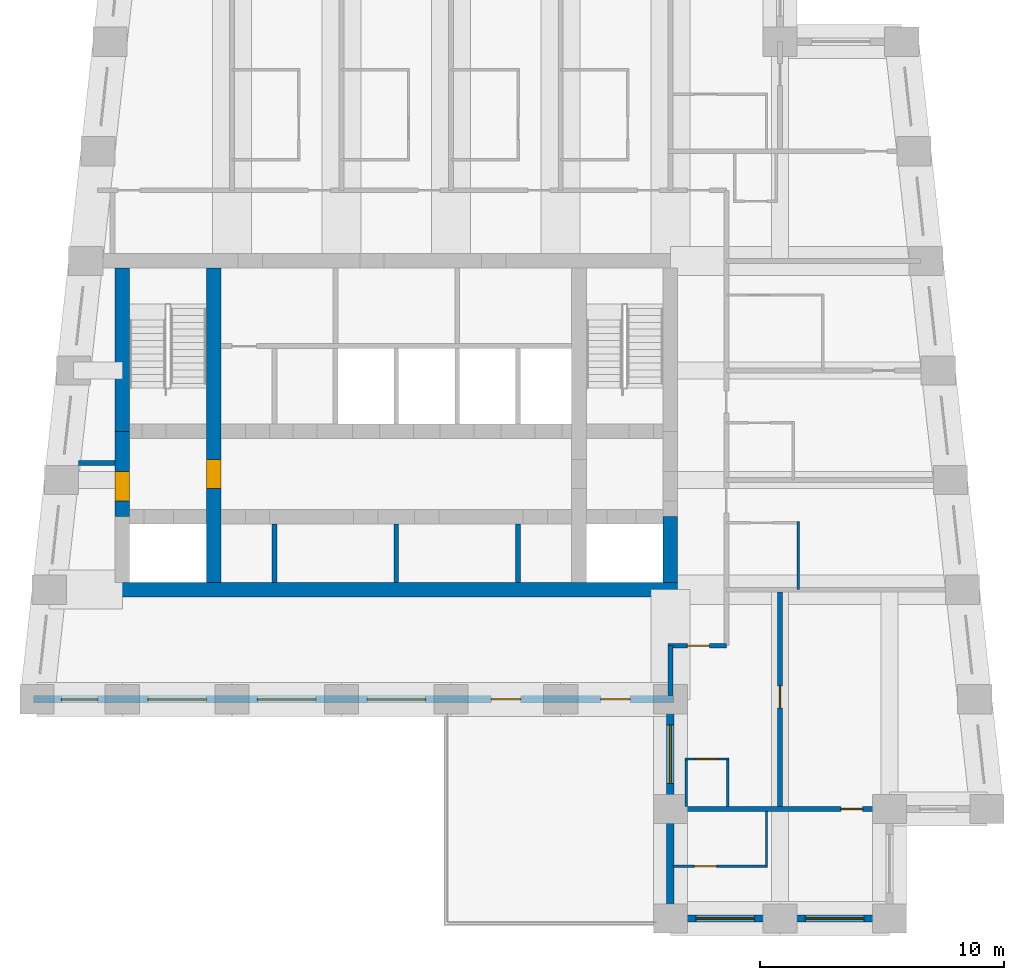
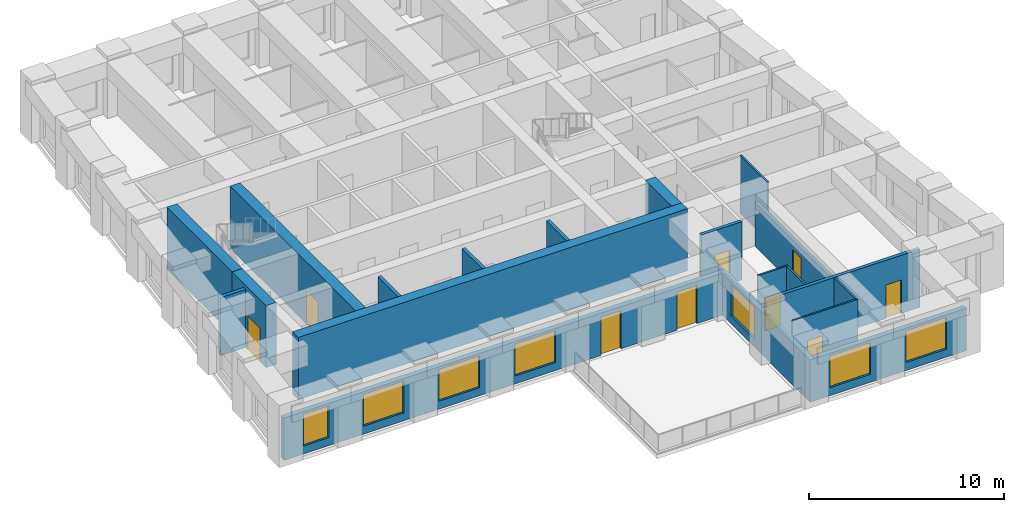
# One storey, part 2 of 7: 22 walls, 9 doors, 7 windows, 16 openings.
"""IFC4 building model written with IfcOpenShell, lengths in metres."""

from ifc_helpers import new_model, si_unit, direction, frame, frame_2d, origin, place, context, subcontext, project, spatial, rectangle, extrude, material, layer, layer_set, type_object, element, fill, save


model = new_model("IFC4")

# Units and contexts
model_context = context("Model", 3, precision=1e-05, world=origin(), true_north=direction((0.0, 1.0)))
body_context = subcontext(model_context, "Body", "Model", "MODEL_VIEW")
ifc_project = project(units=[si_unit("LENGTHUNIT", "METRE"), si_unit("AREAUNIT", "SQUARE_METRE"), si_unit("VOLUMEUNIT", "CUBIC_METRE"), si_unit("PLANEANGLEUNIT", "RADIAN"), si_unit("MASSUNIT", "GRAM", prefix="KILO")], contexts=[model_context])

# Site, building, storey
site_placement = place(None, origin())
site = spatial("IfcSite", under=ifc_project, at=site_placement, CompositionType="ELEMENT")
building_placement = place(site_placement, origin())
building = spatial("IfcBuilding", under=site, at=building_placement, Name="Kilele Tower Hotel", CompositionType="ELEMENT")
storey_placement = place(building_placement, frame((0.0, 0.0, 250.699951171875)))
storey = spatial("IfcBuildingStorey", under=building, at=storey_placement, Name="L64", CompositionType="ELEMENT", Elevation=250.699951171875)

# Walls
ifc_material_1 = material(Name="Moisture-resistant board")
ifc_layer_1 = layer(ifc_material_1, 0.10009765625)
ifc_layer_set_1 = layer_set([ifc_layer_1], Name="Moisture-resistant board")
wall_type_1 = type_object("IfcWallType", Name="Bathroom partition 100", PredefinedType="PLUMBINGWALL", material=ifc_layer_set_1)
wall_1_placement = place(storey_placement, frame((41.25, 13.5, 0.0), z_axis=(0.0, 0.0, 1.0), x_axis=(0.0, 1.0, 0.0)))
element("IfcWall", 1, at=wall_1_placement, inside=storey, type_object=wall_type_1, Name="Bathroom partition 100 L64", PredefinedType="PLUMBINGWALL", context=body_context, shape_type="SweptSolid", body=[
    extrude(rectangle(XDim=2.800048828125, YDim=0.10009765625, at=frame_2d((1.39990234375, 0.0))), origin(), (0.0, 0.0, 1.0), 3.650146484375),
])
wall_2_placement = place(storey_placement, frame((38.35009765625, 4.60009765625, 0.0), z_axis=(0.0, 0.0, 1.0), x_axis=(0.0, 1.0, 0.0)))
element("IfcWall", 2, at=wall_2_placement, inside=storey, type_object=wall_type_1, Name="Bathroom partition 100 L64", PredefinedType="PLUMBINGWALL", context=body_context, shape_type="SweptSolid", body=[
    extrude(rectangle(XDim=2.0, YDim=0.10009765625, at=frame_2d((1.0, 0.0))), origin(), (0.0, 0.0, 1.0), 3.650146484375),
])
wall_3_placement = place(storey_placement, frame((36.64990234375, 4.60009765625, 0.0), z_axis=(0.0, 0.0, 1.0), x_axis=(0.0, 1.0, 0.0)))
element("IfcWall", 3, at=wall_3_placement, inside=storey, type_object=wall_type_1, Name="Bathroom partition 100 L64", PredefinedType="PLUMBINGWALL", context=body_context, shape_type="SweptSolid", body=[
    extrude(rectangle(XDim=2.0, YDim=0.10009765625, at=frame_2d((1.0, 0.0))), origin(), (0.0, 0.0, 1.0), 2.650146484375),
])

# Wall, opening, door
wall_4_placement = place(storey_placement, frame((36.60009765625, 6.550048828125, 0.0), z_axis=(0.0, 0.0, 1.0), x_axis=(1.0, 0.0, 0.0)))
wall_4 = element("IfcWall", 4, at=wall_4_placement, inside=storey, type_object=wall_type_1, Name="Bathroom partition 100 L64", PredefinedType="PLUMBINGWALL", context=body_context, shape_type="SweptSolid", body=[
    extrude(rectangle(XDim=1.7998046875, YDim=0.10009765625, at=frame_2d((0.89990234375, 0.0))), origin(), (0.0, 0.0, 1.0), 3.650146484375),
])
opening_1_placement = place(wall_4_placement, frame((0.449951171875, 0.0, 0.0)))
opening_1 = element("IfcOpeningElement", 5, at=opening_1_placement, cuts=wall_4, Name="Opening D2A", PredefinedType="OPENING", context=body_context, shape_type="SweptSolid", body=[
    extrude(rectangle(XDim=0.89990234375, YDim=2.10009765625, at=frame_2d((0.449951171875, 1.050048828125))), frame((0.0, 0.06005859375, 0.0), z_axis=(0.0, -1.0, 0.0), x_axis=(1.0, 0.0, 0.0)), (0.0, 0.0, 1.0), 0.1201171875),
])
ifc_material_2 = material(Name="Timber door leaf in hardwood frame", Category="wood")
door_type_1 = type_object("IfcDoorType", Name="Bathroom door 900", OperationType="SINGLE_SWING_LEFT", PredefinedType="DOOR", material=ifc_material_2)
door_1_placement = place(opening_1_placement, origin())
door_1 = element("IfcDoor", 6, at=door_1_placement, inside=storey, type_object=door_type_1, Name="Bathroom door 6410P", OperationType="SINGLE_SWING_LEFT", OverallHeight=2.10009765625, OverallWidth=0.89990234375, PredefinedType="DOOR", context=body_context, shape_type="SweptSolid", body=[
    extrude(rectangle(XDim=0.89990234375, YDim=2.10009765625, at=frame_2d((0.449951171875, 1.050048828125))), frame((0.0, 0.02490234375, 0.0), z_axis=(0.0, -1.0, 0.0), x_axis=(1.0, 0.0, 0.0)), (0.0, 0.0, 1.0), 0.050048828125),
])
fill(opening_1, door_1)

# Wall
wall_5_placement = place(storey_placement, frame((39.949951171875, 4.39990234375, 0.0), z_axis=(0.0, 0.0, 1.0), x_axis=(0.0, -1.0, 0.0)))
element("IfcWall", 7, at=wall_5_placement, inside=storey, type_object=wall_type_1, Name="Bathroom partition 100 L64", PredefinedType="PLUMBINGWALL", context=body_context, shape_type="SweptSolid", body=[
    extrude(rectangle(XDim=2.2998046875, YDim=0.10009765625, at=frame_2d((1.14990234375, 0.0))), origin(), (0.0, 0.0, 1.0), 3.650146484375),
])

# Wall, opening, door
wall_6_placement = place(storey_placement, frame((36.10009765625, 2.14990234375, 0.0), z_axis=(0.0, 0.0, 1.0), x_axis=(1.0, 0.0, 0.0)))
wall_6 = element("IfcWall", 8, at=wall_6_placement, inside=storey, type_object=wall_type_1, Name="Bathroom partition 100 L64", PredefinedType="PLUMBINGWALL", context=body_context, shape_type="SweptSolid", body=[
    extrude(rectangle(XDim=3.89990234375, YDim=0.10009765625, at=frame_2d((1.949951171875, 0.0))), origin(), (0.0, 0.0, 1.0), 3.650146484375),
])
opening_2_placement = place(wall_6_placement, frame((1.7998046875, 0.0, 0.0), z_axis=(0.0, 0.0, 1.0), x_axis=(-1.0, 0.0, 0.0)))
opening_2 = element("IfcOpeningElement", 9, at=opening_2_placement, cuts=wall_6, Name="Opening D2A", PredefinedType="OPENING", context=body_context, shape_type="SweptSolid", body=[
    extrude(rectangle(XDim=0.89990234375, YDim=2.10009765625, at=frame_2d((0.449951171875, 1.050048828125))), frame((0.0, 0.06005859375, 0.0), z_axis=(0.0, -1.0, 0.0), x_axis=(1.0, 0.0, 0.0)), (0.0, 0.0, 1.0), 0.1201171875),
])
door_2_placement = place(opening_2_placement, origin())
door_2 = element("IfcDoor", 10, at=door_2_placement, inside=storey, type_object=door_type_1, Name="Bathroom door 6412B", OperationType="SINGLE_SWING_RIGHT", OverallHeight=2.10009765625, OverallWidth=0.89990234375, PredefinedType="DOOR", context=body_context, shape_type="SweptSolid", body=[
    extrude(rectangle(XDim=0.89990234375, YDim=2.10009765625, at=frame_2d((0.449951171875, 1.050048828125))), frame((0.0, 0.02490234375, 0.0), z_axis=(0.0, -1.0, 0.0), x_axis=(1.0, 0.0, 0.0)), (0.0, 0.0, 1.0), 0.050048828125),
])
fill(opening_2, door_2)

# Wall
ifc_material_3 = material(Name="Concrete C60/75", Category="concrete")
ifc_layer_2 = layer(ifc_material_3, 0.60009765625)
ifc_layer_set_2 = layer_set([ifc_layer_2], Name="Concrete C60/75")
wall_type_2 = type_object("IfcWallType", Name="Core wall 600 C60/75", PredefinedType="SHEAR", material=ifc_layer_set_2)
wall_7_placement = place(storey_placement, frame((13.199951171875, 13.5, 0.0), z_axis=(0.0, 0.0, 1.0), x_axis=(1.0, 0.0, 0.0)))
element("IfcWall", 11, at=wall_7_placement, inside=storey, type_object=wall_type_2, Name="Core wall S L64", PredefinedType="SHEAR", context=body_context, shape_type="SweptSolid", body=[
    extrude(rectangle(XDim=23.10009765625, YDim=0.60009765625, at=frame_2d((11.550048828125, 0.0))), origin(), (0.0, 0.0, 1.0), 3.900146484375),
])

# Wall, opening, door
wall_8_placement = place(storey_placement, frame((17.25, 13.800048828125, 0.0), z_axis=(0.0, 0.0, 1.0), x_axis=(0.0, 1.0, 0.0)))
wall_8 = element("IfcWall", 12, at=wall_8_placement, inside=storey, type_object=wall_type_2, Name="Core wall IW L64", PredefinedType="SHEAR", context=body_context, shape_type="SweptSolid", body=[
    extrude(rectangle(XDim=12.89990234375, YDim=0.60009765625, at=frame_2d((6.449951171875, 0.0))), origin(), (0.0, 0.0, 1.0), 3.900146484375),
])
opening_3_placement = place(wall_8_placement, frame((3.85009765625, 0.0, 0.0)))
opening_3 = element("IfcOpeningElement", 13, at=opening_3_placement, cuts=wall_8, Name="Opening D4", PredefinedType="OPENING", context=body_context, shape_type="SweptSolid", body=[
    extrude(rectangle(XDim=1.199951171875, YDim=2.10009765625, at=frame_2d((0.60009765625, 1.050048828125))), frame((0.0, 0.31005859375, 0.0), z_axis=(0.0, -1.0, 0.0), x_axis=(1.0, 0.0, 0.0)), (0.0, 0.0, 1.0), 0.6201171875),
])
ifc_material_4 = material(Name="Timber door leaf in hardwood frame", Category="wood")
door_type_2 = type_object("IfcDoorType", Name="Firefighting lobby door 1200", OperationType="SINGLE_SWING_LEFT", PredefinedType="DOOR", material=ifc_material_4)
door_3_placement = place(opening_3_placement, origin())
door_3 = element("IfcDoor", 14, at=door_3_placement, inside=storey, type_object=door_type_2, Name="Lobby door L64", OperationType="SINGLE_SWING_LEFT", OverallHeight=2.10009765625, OverallWidth=1.199951171875, PredefinedType="DOOR", context=body_context, shape_type="SweptSolid", body=[
    extrude(rectangle(XDim=1.199951171875, YDim=2.10009765625, at=frame_2d((0.60009765625, 1.050048828125))), frame((0.0, 0.2998046875, 0.0), z_axis=(0.0, -1.0, 0.0), x_axis=(1.0, 0.0, 0.0)), (0.0, 0.0, 1.0), 0.599609375),
])
fill(opening_3, door_3)

# Wall
wall_9_placement = place(storey_placement, frame((13.5, 26.699951171875, 0.0), z_axis=(0.0, 0.0, 1.0), x_axis=(0.0, -1.0, 0.0)))
element("IfcWall", 15, at=wall_9_placement, inside=storey, type_object=wall_type_2, Name="Core wall W1 L64", PredefinedType="SHEAR", context=body_context, shape_type="SweptSolid", body=[
    extrude(rectangle(XDim=6.699951171875, YDim=0.60009765625, at=frame_2d((3.35009765625, 0.0))), origin(), (0.0, 0.0, 1.0), 3.900146484375),
])

# Wall, opening, door
wall_10_placement = place(storey_placement, frame((13.5, 20.0, 0.0), z_axis=(0.0, 0.0, 1.0), x_axis=(0.0, -1.0, 0.0)))
wall_10 = element("IfcWall", 16, at=wall_10_placement, inside=storey, type_object=wall_type_2, Name="Core wall W2 L64", PredefinedType="SHEAR", context=body_context, shape_type="SweptSolid", body=[
    extrude(rectangle(XDim=3.5, YDim=0.60009765625, at=frame_2d((1.75, 0.0))), origin(), (0.0, 0.0, 1.0), 3.900146484375),
])
opening_4_placement = place(wall_10_placement, frame((1.64990234375, 0.0, 0.0)))
opening_4 = element("IfcOpeningElement", 17, at=opening_4_placement, cuts=wall_10, Name="Opening D4", PredefinedType="OPENING", context=body_context, shape_type="SweptSolid", body=[
    extrude(rectangle(XDim=1.199951171875, YDim=2.10009765625, at=frame_2d((0.60009765625, 1.050048828125))), frame((0.0, 0.31005859375, 0.0), z_axis=(0.0, -1.0, 0.0), x_axis=(1.0, 0.0, 0.0)), (0.0, 0.0, 1.0), 0.6201171875),
])
door_4_placement = place(opening_4_placement, origin())
door_4 = element("IfcDoor", 18, at=door_4_placement, inside=storey, type_object=door_type_2, Name="Lobby door L64", OperationType="SINGLE_SWING_RIGHT", OverallHeight=2.10009765625, OverallWidth=1.199951171875, PredefinedType="DOOR", context=body_context, shape_type="SweptSolid", body=[
    extrude(rectangle(XDim=1.199951171875, YDim=2.10009765625, at=frame_2d((0.60009765625, 1.050048828125))), frame((0.0, 0.2998046875, 0.0), z_axis=(0.0, -1.0, 0.0), x_axis=(1.0, 0.0, 0.0)), (0.0, 0.0, 1.0), 0.599609375),
])
fill(opening_4, door_4)

# Wall
wall_11_placement = place(storey_placement, frame((36.0, 13.800048828125, 0.0), z_axis=(0.0, 0.0, 1.0), x_axis=(0.0, 1.0, 0.0)))
element("IfcWall", 19, at=wall_11_placement, inside=storey, type_object=wall_type_2, Name="Core wall E1 L64", PredefinedType="SHEAR", context=body_context, shape_type="SweptSolid", body=[
    extrude(rectangle(XDim=2.699951171875, YDim=0.60009765625, at=frame_2d((1.35009765625, 0.0))), origin(), (0.0, 0.0, 1.0), 3.900146484375),
])

# Wall, opening, door
ifc_material_5 = material(Name="Blockwork, plastered both sides", Category="masonry")
ifc_layer_3 = layer(ifc_material_5, 0.199951171875)
ifc_layer_set_3 = layer_set([ifc_layer_3], Name="Blockwork, plastered both sides")
wall_type_3 = type_object("IfcWallType", Name="Corridor wall 200", PredefinedType="PARTITIONING", material=ifc_layer_set_3)
wall_12_placement = place(storey_placement, frame((35.89990234375, 11.199951171875, 0.0), z_axis=(0.0, 0.0, 1.0), x_axis=(1.0, 0.0, 0.0)))
wall_12 = element("IfcWall", 20, at=wall_12_placement, inside=storey, type_object=wall_type_3, Name="Corridor wall 200 L64", PredefinedType="PARTITIONING", context=body_context, shape_type="SweptSolid", body=[
    extrude(rectangle(XDim=2.400146484375, YDim=0.199951171875, at=frame_2d((1.2001953125, 0.0))), origin(), (0.0, 0.0, 1.0), 3.650146484375),
])
opening_5_placement = place(wall_12_placement, frame((1.699951171875, 0.0, 0.0), z_axis=(0.0, 0.0, 1.0), x_axis=(-1.0, 0.0, 0.0)))
opening_5 = element("IfcOpeningElement", 21, at=opening_5_placement, cuts=wall_12, Name="Opening D1", PredefinedType="OPENING", context=body_context, shape_type="SweptSolid", body=[
    extrude(rectangle(XDim=0.89990234375, YDim=2.10009765625, at=frame_2d((0.449951171875, 1.050048828125))), frame((0.0, 0.10986328125, 0.0), z_axis=(0.0, -1.0, 0.0), x_axis=(1.0, 0.0, 0.0)), (0.0, 0.0, 1.0), 0.219970703125),
])
ifc_material_6 = material(Name="Timber door leaf in hardwood frame", Category="wood")
door_type_3 = type_object("IfcDoorType", Name="Guest room entrance door 900", OperationType="SINGLE_SWING_LEFT", PredefinedType="DOOR", material=ifc_material_6)
door_5_placement = place(opening_5_placement, origin())
door_5 = element("IfcDoor", 22, at=door_5_placement, inside=storey, type_object=door_type_3, Name="Room entrance 6410", OperationType="SINGLE_SWING_RIGHT", OverallHeight=2.10009765625, OverallWidth=0.89990234375, PredefinedType="DOOR", context=body_context, shape_type="SweptSolid", body=[
    extrude(rectangle(XDim=0.89990234375, YDim=2.10009765625, at=frame_2d((0.449951171875, 1.050048828125))), frame((0.0, 0.02490234375, 0.0), z_axis=(0.0, -1.0, 0.0), x_axis=(1.0, 0.0, 0.0)), (0.0, 0.0, 1.0), 0.050048828125),
])
fill(opening_5, door_5)

# Wall
ifc_material_7 = material(Name="Blockwork, plastered both sides", Category="masonry")
ifc_layer_4 = layer(ifc_material_7, 0.199951171875)
ifc_layer_set_4 = layer_set([ifc_layer_4], Name="Blockwork, plastered both sides")
wall_type_4 = type_object("IfcWallType", Name="Partition wall 200", PredefinedType="PARTITIONING", material=ifc_layer_set_4)
wall_13_placement = place(storey_placement, frame((13.199951171875, 18.699951171875, 0.0), z_axis=(0.0, 0.0, 1.0), x_axis=(-1.0, 0.0, 0.0)))
element("IfcWall", 23, at=wall_13_placement, inside=storey, type_object=wall_type_4, Name="Partition wall 200 L64", PredefinedType="PARTITIONING", context=body_context, shape_type="SweptSolid", body=[
    extrude(rectangle(XDim=1.5, YDim=0.199951171875, at=frame_2d((0.75, 0.0))), origin(), (0.0, 0.0, 1.0), 3.650146484375),
])

# Wall, opening, door
wall_14_placement = place(storey_placement, frame((40.5, 4.60009765625, 0.0), z_axis=(0.0, 0.0, 1.0), x_axis=(0.0, 1.0, 0.0)))
wall_14 = element("IfcWall", 24, at=wall_14_placement, inside=storey, type_object=wall_type_4, Name="Partition wall 200 L64", PredefinedType="PARTITIONING", context=body_context, shape_type="SweptSolid", body=[
    extrude(rectangle(XDim=8.7998046875, YDim=0.199951171875, at=frame_2d((4.39990234375, 0.0))), origin(), (0.0, 0.0, 1.0), 2.75),
])
opening_6_placement = place(wall_14_placement, frame((4.050048828125, 0.0, 0.0)))
opening_6 = element("IfcOpeningElement", 25, at=opening_6_placement, cuts=wall_14, Name="Opening D3", PredefinedType="OPENING", context=body_context, shape_type="SweptSolid", body=[
    extrude(rectangle(XDim=0.89990234375, YDim=2.10009765625, at=frame_2d((0.449951171875, 1.050048828125))), frame((0.0, 0.10986328125, 0.0), z_axis=(0.0, -1.0, 0.0), x_axis=(1.0, 0.0, 0.0)), (0.0, 0.0, 1.0), 0.219970703125),
])
ifc_material_8 = material(Name="Timber door leaf in hardwood frame", Category="wood")
door_type_4 = type_object("IfcDoorType", Name="Suite internal door 900", OperationType="SINGLE_SWING_LEFT", PredefinedType="DOOR", material=ifc_material_8)
door_6_placement = place(opening_6_placement, origin())
door_6 = element("IfcDoor", 26, at=door_6_placement, inside=storey, type_object=door_type_4, Name="Suite door 6411", OperationType="SINGLE_SWING_RIGHT", OverallHeight=2.10009765625, OverallWidth=0.89990234375, PredefinedType="DOOR", context=body_context, shape_type="SweptSolid", body=[
    extrude(rectangle(XDim=0.89990234375, YDim=2.10009765625, at=frame_2d((0.449951171875, 1.050048828125))), frame((0.0, 0.02490234375, 0.0), z_axis=(0.0, -1.0, 0.0), x_axis=(1.0, 0.0, 0.0)), (0.0, 0.0, 1.0), 0.050048828125),
])
fill(opening_6, door_6)

# Wall
ifc_material_9 = material(Name="Blockwork, plastered both sides", Category="masonry")
ifc_layer_5 = layer(ifc_material_9, 0.199951171875)
ifc_layer_set_5 = layer_set([ifc_layer_5], Name="Blockwork, plastered both sides")
wall_type_5 = type_object("IfcWallType", Name="Party wall 200", PredefinedType="PARTITIONING", material=ifc_layer_set_5)
wall_15_placement = place(storey_placement, frame((36.0, 11.199951171875, 0.0), z_axis=(0.0, 0.0, 1.0), x_axis=(0.0, -1.0, 0.0)))
element("IfcWall", 27, at=wall_15_placement, inside=storey, type_object=wall_type_5, Name="Party wall 200 L64", PredefinedType="PARTITIONING", context=body_context, shape_type="SweptSolid", body=[
    extrude(rectangle(XDim=2.050048828125, YDim=0.199951171875, at=frame_2d((1.02490234375, 0.0))), origin(), (0.0, 0.0, 1.0), 2.650146484375),
])

# Wall, opening, door
wall_16_placement = place(storey_placement, frame((35.89990234375, 4.5, 0.0), z_axis=(0.0, 0.0, 1.0), x_axis=(1.0, 0.0, 0.0)))
wall_16 = element("IfcWall", 28, at=wall_16_placement, inside=storey, type_object=wall_type_5, Name="Party wall 200 L64", PredefinedType="PARTITIONING", context=body_context, shape_type="SweptSolid", body=[
    extrude(rectangle(XDim=9.10009765625, YDim=0.199951171875, at=frame_2d((4.550048828125, 0.0))), origin(), (0.0, 0.0, 1.0), 3.650146484375),
])
opening_7_placement = place(wall_16_placement, frame((7.10009765625, 0.0, 0.0)))
opening_7 = element("IfcOpeningElement", 29, at=opening_7_placement, cuts=wall_16, Name="Opening D3", PredefinedType="OPENING", context=body_context, shape_type="SweptSolid", body=[
    extrude(rectangle(XDim=0.89990234375, YDim=2.10009765625, at=frame_2d((0.449951171875, 1.050048828125))), frame((0.0, 0.10986328125, 0.0), z_axis=(0.0, -1.0, 0.0), x_axis=(1.0, 0.0, 0.0)), (0.0, 0.0, 1.0), 0.219970703125),
])
door_7_placement = place(opening_7_placement, origin())
door_7 = element("IfcDoor", 30, at=door_7_placement, inside=storey, type_object=door_type_4, Name="Suite door 6412", OperationType="SINGLE_SWING_RIGHT", OverallHeight=2.10009765625, OverallWidth=0.89990234375, PredefinedType="DOOR", context=body_context, shape_type="SweptSolid", body=[
    extrude(rectangle(XDim=0.89990234375, YDim=2.10009765625, at=frame_2d((0.449951171875, 1.050048828125))), frame((0.0, 0.02490234375, 0.0), z_axis=(0.0, -1.0, 0.0), x_axis=(1.0, 0.0, 0.0)), (0.0, 0.0, 1.0), 0.050048828125),
])
fill(opening_7, door_7)

# Wall, openings, doors, windows
ifc_material_10 = material(Name="Concrete C40/50 precast", Category="concrete")
ifc_layer_6 = layer(ifc_material_10, 0.260009765625, Name="Precast backing", Category="LoadBearing")
ifc_material_11 = material(Name="Reconstituted stone finish", Category="masonry")
ifc_layer_7 = layer(ifc_material_11, 0.0400390625, Name="Face mix", Category="Finish")
ifc_layer_set_6 = layer_set([ifc_layer_6, ifc_layer_7], Name="Precast concrete C40/50, reconstituted stone finish")
wall_type_6 = type_object("IfcWallType", Name="Precast stone facade wall 300", PredefinedType="STANDARD", material=ifc_layer_set_6)
wall_17_placement = place(storey_placement, frame((9.85009765625, 9.0, 0.0), z_axis=(0.0, 0.0, 1.0), x_axis=(1.0, 0.0, 0.0)))
wall_17 = element("IfcWall", 31, at=wall_17_placement, inside=storey, type_object=wall_type_6, Name="Facade wall L64 edge 1", PredefinedType="STANDARD", context=body_context, shape_type="SweptSolid", body=[
    extrude(rectangle(XDim=26.2998046875, YDim=0.300048828125, at=frame_2d((13.14990234375, 0.0))), origin(), (0.0, 0.0, 1.0), 2.650146484375),
])
opening_8_placement = place(wall_17_placement, frame((1.14990234375, 0.0, 0.5)))
opening_8 = element("IfcOpeningElement", 32, at=opening_8_placement, cuts=wall_17, Name="Opening W4", PredefinedType="OPENING", context=body_context, shape_type="SweptSolid", body=[
    extrude(rectangle(XDim=1.5, YDim=2.0, at=frame_2d((0.75, 1.0))), frame((0.0, 0.159912109375, 0.0), z_axis=(0.0, -1.0, 0.0), x_axis=(1.0, 0.0, 0.0)), (0.0, 0.0, 1.0), 0.320068359375),
])
opening_9_placement = place(wall_17_placement, frame((4.699951171875, 0.0, 0.5)))
opening_9 = element("IfcOpeningElement", 33, at=opening_9_placement, cuts=wall_17, Name="Opening W4", PredefinedType="OPENING", context=body_context, shape_type="SweptSolid", body=[
    extrude(rectangle(XDim=2.39990234375, YDim=2.0, at=frame_2d((1.199951171875, 1.0))), frame((0.0, 0.159912109375, 0.0), z_axis=(0.0, -1.0, 0.0), x_axis=(1.0, 0.0, 0.0)), (0.0, 0.0, 1.0), 0.320068359375),
])
opening_10_placement = place(wall_17_placement, frame((9.199951171875, 0.0, 0.5)))
opening_10 = element("IfcOpeningElement", 34, at=opening_10_placement, cuts=wall_17, Name="Opening W4", PredefinedType="OPENING", context=body_context, shape_type="SweptSolid", body=[
    extrude(rectangle(XDim=2.39990234375, YDim=2.0, at=frame_2d((1.199951171875, 1.0))), frame((0.0, 0.159912109375, 0.0), z_axis=(0.0, -1.0, 0.0), x_axis=(1.0, 0.0, 0.0)), (0.0, 0.0, 1.0), 0.320068359375),
])
opening_11_placement = place(wall_17_placement, frame((13.699951171875, 0.0, 0.5)))
opening_11 = element("IfcOpeningElement", 35, at=opening_11_placement, cuts=wall_17, Name="Opening W4", PredefinedType="OPENING", context=body_context, shape_type="SweptSolid", body=[
    extrude(rectangle(XDim=2.39990234375, YDim=2.0, at=frame_2d((1.199951171875, 1.0))), frame((0.0, 0.159912109375, 0.0), z_axis=(0.0, -1.0, 0.0), x_axis=(1.0, 0.0, 0.0)), (0.0, 0.0, 1.0), 0.320068359375),
])
opening_12_placement = place(wall_17_placement, frame((18.800048828125, 0.0, 0.0)))
opening_12 = element("IfcOpeningElement", 36, at=opening_12_placement, cuts=wall_17, Name="Opening TD1", PredefinedType="OPENING", context=body_context, shape_type="SweptSolid", body=[
    extrude(rectangle(XDim=1.199951171875, YDim=2.39990234375, at=frame_2d((0.60009765625, 1.199951171875))), frame((0.0, 0.159912109375, 0.0), z_axis=(0.0, -1.0, 0.0), x_axis=(1.0, 0.0, 0.0)), (0.0, 0.0, 1.0), 0.320068359375),
])
opening_13_placement = place(wall_17_placement, frame((23.300048828125, 0.0, 0.0)))
opening_13 = element("IfcOpeningElement", 37, at=opening_13_placement, cuts=wall_17, Name="Opening TD1", PredefinedType="OPENING", context=body_context, shape_type="SweptSolid", body=[
    extrude(rectangle(XDim=1.199951171875, YDim=2.39990234375, at=frame_2d((0.60009765625, 1.199951171875))), frame((0.0, 0.159912109375, 0.0), z_axis=(0.0, -1.0, 0.0), x_axis=(1.0, 0.0, 0.0)), (0.0, 0.0, 1.0), 0.320068359375),
])
ifc_material_12 = material(Name="Aluminium frame, clear glazing", Category="aluminium")
door_type_5 = type_object("IfcDoorType", Name="Terrace door 1200", OperationType="SINGLE_SWING_LEFT", PredefinedType="DOOR", material=ifc_material_12)
door_8_placement = place(opening_12_placement, origin())
door_8 = element("IfcDoor", 38, at=door_8_placement, inside=storey, type_object=door_type_5, Name="Terrace door L64", OperationType="SINGLE_SWING_RIGHT", OverallHeight=2.39990234375, OverallWidth=1.199951171875, PredefinedType="DOOR", context=body_context, shape_type="SweptSolid", body=[
    extrude(rectangle(XDim=1.199951171875, YDim=2.39990234375, at=frame_2d((0.60009765625, 1.199951171875))), frame((0.0, 0.02490234375, 0.0), z_axis=(0.0, -1.0, 0.0), x_axis=(1.0, 0.0, 0.0)), (0.0, 0.0, 1.0), 0.050048828125),
])
fill(opening_12, door_8)
door_9_placement = place(opening_13_placement, origin())
door_9 = element("IfcDoor", 39, at=door_9_placement, inside=storey, type_object=door_type_5, Name="Terrace door L64", OperationType="SINGLE_SWING_RIGHT", OverallHeight=2.39990234375, OverallWidth=1.199951171875, PredefinedType="DOOR", context=body_context, shape_type="SweptSolid", body=[
    extrude(rectangle(XDim=1.199951171875, YDim=2.39990234375, at=frame_2d((0.60009765625, 1.199951171875))), frame((0.0, 0.02490234375, 0.0), z_axis=(0.0, -1.0, 0.0), x_axis=(1.0, 0.0, 0.0)), (0.0, 0.0, 1.0), 0.050048828125),
])
fill(opening_13, door_9)
ifc_material_13 = material(Name="Aluminium frame, clear double glazing", Category="aluminium")
window_type_1 = type_object("IfcWindowType", Name="Window W4 1500 x 2000", PartitioningType="SINGLE_PANEL", PredefinedType="WINDOW", material=ifc_material_13)
window_1_placement = place(opening_8_placement, origin())
window_1 = element("IfcWindow", 40, at=window_1_placement, inside=storey, type_object=window_type_1, Name="Window L64", OverallHeight=2.0, OverallWidth=1.5, PartitioningType="SINGLE_PANEL", PredefinedType="WINDOW", context=body_context, shape_type="SweptSolid", body=[
    extrude(rectangle(XDim=1.5, YDim=2.0, at=frame_2d((0.75, 1.0))), frame((0.0, 0.030029296875, 0.0), z_axis=(0.0, -1.0, 0.0), x_axis=(1.0, 0.0, 0.0)), (0.0, 0.0, 1.0), 0.06005859375),
])
fill(opening_8, window_1)
ifc_material_14 = material(Name="Aluminium frame, clear double glazing", Category="aluminium")
window_type_2 = type_object("IfcWindowType", Name="Window W4 2400 x 2000", PartitioningType="SINGLE_PANEL", PredefinedType="WINDOW", material=ifc_material_14)
window_2_placement = place(opening_9_placement, origin())
window_2 = element("IfcWindow", 41, at=window_2_placement, inside=storey, type_object=window_type_2, Name="Window L64", OverallHeight=2.0, OverallWidth=2.39990234375, PartitioningType="SINGLE_PANEL", PredefinedType="WINDOW", context=body_context, shape_type="SweptSolid", body=[
    extrude(rectangle(XDim=2.39990234375, YDim=2.0, at=frame_2d((1.199951171875, 1.0))), frame((0.0, 0.030029296875, 0.0), z_axis=(0.0, -1.0, 0.0), x_axis=(1.0, 0.0, 0.0)), (0.0, 0.0, 1.0), 0.06005859375),
])
fill(opening_9, window_2)
window_3_placement = place(opening_10_placement, origin())
window_3 = element("IfcWindow", 42, at=window_3_placement, inside=storey, type_object=window_type_2, Name="Window L64", OverallHeight=2.0, OverallWidth=2.39990234375, PartitioningType="SINGLE_PANEL", PredefinedType="WINDOW", context=body_context, shape_type="SweptSolid", body=[
    extrude(rectangle(XDim=2.39990234375, YDim=2.0, at=frame_2d((1.199951171875, 1.0))), frame((0.0, 0.030029296875, 0.0), z_axis=(0.0, -1.0, 0.0), x_axis=(1.0, 0.0, 0.0)), (0.0, 0.0, 1.0), 0.06005859375),
])
fill(opening_10, window_3)
window_4_placement = place(opening_11_placement, origin())
window_4 = element("IfcWindow", 43, at=window_4_placement, inside=storey, type_object=window_type_2, Name="Window L64", OverallHeight=2.0, OverallWidth=2.39990234375, PartitioningType="SINGLE_PANEL", PredefinedType="WINDOW", context=body_context, shape_type="SweptSolid", body=[
    extrude(rectangle(XDim=2.39990234375, YDim=2.0, at=frame_2d((1.199951171875, 1.0))), frame((0.0, 0.030029296875, 0.0), z_axis=(0.0, -1.0, 0.0), x_axis=(1.0, 0.0, 0.0)), (0.0, 0.0, 1.0), 0.06005859375),
])
fill(opening_11, window_4)

# Wall, opening, window
wall_18_placement = place(storey_placement, frame((36.0, 9.14990234375, 0.0), z_axis=(0.0, 0.0, 1.0), x_axis=(0.0, -1.0, 0.0)))
wall_18 = element("IfcWall", 44, at=wall_18_placement, inside=storey, type_object=wall_type_6, Name="Facade wall L64 edge 2", PredefinedType="STANDARD", context=body_context, shape_type="SweptSolid", body=[
    extrude(rectangle(XDim=9.2998046875, YDim=0.300048828125, at=frame_2d((4.64990234375, 0.0))), origin(), (0.0, 0.0, 1.0), 2.650146484375),
])
opening_14_placement = place(wall_18_placement, frame((1.199951171875, 0.0, 0.5)))
opening_14 = element("IfcOpeningElement", 45, at=opening_14_placement, cuts=wall_18, Name="Opening W4", PredefinedType="OPENING", context=body_context, shape_type="SweptSolid", body=[
    extrude(rectangle(XDim=2.39990234375, YDim=2.0, at=frame_2d((1.199951171875, 1.0))), frame((0.0, 0.159912109375, 0.0), z_axis=(0.0, -1.0, 0.0), x_axis=(1.0, 0.0, 0.0)), (0.0, 0.0, 1.0), 0.320068359375),
])
window_5_placement = place(opening_14_placement, origin())
window_5 = element("IfcWindow", 46, at=window_5_placement, inside=storey, type_object=window_type_2, Name="Window L64", OverallHeight=2.0, OverallWidth=2.39990234375, PartitioningType="SINGLE_PANEL", PredefinedType="WINDOW", context=body_context, shape_type="SweptSolid", body=[
    extrude(rectangle(XDim=2.39990234375, YDim=2.0, at=frame_2d((1.199951171875, 1.0))), frame((0.0, 0.030029296875, 0.0), z_axis=(0.0, -1.0, 0.0), x_axis=(1.0, 0.0, 0.0)), (0.0, 0.0, 1.0), 0.06005859375),
])
fill(opening_14, window_5)

# Wall, openings, windows
wall_19_placement = place(storey_placement, frame((35.85009765625, 0.0, 0.0), z_axis=(0.0, 0.0, 1.0), x_axis=(1.0, 0.0, 0.0)))
wall_19 = element("IfcWall", 47, at=wall_19_placement, inside=storey, type_object=wall_type_6, Name="Facade wall L64 edge 3", PredefinedType="STANDARD", context=body_context, shape_type="SweptSolid", body=[
    extrude(rectangle(XDim=9.2998046875, YDim=0.300048828125, at=frame_2d((4.64990234375, 0.0))), origin(), (0.0, 0.0, 1.0), 2.650146484375),
])
opening_15_placement = place(wall_19_placement, frame((1.199951171875, 0.0, 0.5)))
opening_15 = element("IfcOpeningElement", 48, at=opening_15_placement, cuts=wall_19, Name="Opening W4", PredefinedType="OPENING", context=body_context, shape_type="SweptSolid", body=[
    extrude(rectangle(XDim=2.39990234375, YDim=2.0, at=frame_2d((1.199951171875, 1.0))), frame((0.0, 0.159912109375, 0.0), z_axis=(0.0, -1.0, 0.0), x_axis=(1.0, 0.0, 0.0)), (0.0, 0.0, 1.0), 0.320068359375),
])
opening_16_placement = place(wall_19_placement, frame((5.699951171875, 0.0, 0.5)))
opening_16 = element("IfcOpeningElement", 49, at=opening_16_placement, cuts=wall_19, Name="Opening W4", PredefinedType="OPENING", context=body_context, shape_type="SweptSolid", body=[
    extrude(rectangle(XDim=2.39990234375, YDim=2.0, at=frame_2d((1.199951171875, 1.0))), frame((0.0, 0.159912109375, 0.0), z_axis=(0.0, -1.0, 0.0), x_axis=(1.0, 0.0, 0.0)), (0.0, 0.0, 1.0), 0.320068359375),
])
window_6_placement = place(opening_15_placement, origin())
window_6 = element("IfcWindow", 50, at=window_6_placement, inside=storey, type_object=window_type_2, Name="Window L64", OverallHeight=2.0, OverallWidth=2.39990234375, PartitioningType="SINGLE_PANEL", PredefinedType="WINDOW", context=body_context, shape_type="SweptSolid", body=[
    extrude(rectangle(XDim=2.39990234375, YDim=2.0, at=frame_2d((1.199951171875, 1.0))), frame((0.0, 0.030029296875, 0.0), z_axis=(0.0, -1.0, 0.0), x_axis=(1.0, 0.0, 0.0)), (0.0, 0.0, 1.0), 0.06005859375),
])
fill(opening_15, window_6)
window_7_placement = place(opening_16_placement, origin())
window_7 = element("IfcWindow", 51, at=window_7_placement, inside=storey, type_object=window_type_2, Name="Window L64", OverallHeight=2.0, OverallWidth=2.39990234375, PartitioningType="SINGLE_PANEL", PredefinedType="WINDOW", context=body_context, shape_type="SweptSolid", body=[
    extrude(rectangle(XDim=2.39990234375, YDim=2.0, at=frame_2d((1.199951171875, 1.0))), frame((0.0, 0.030029296875, 0.0), z_axis=(0.0, -1.0, 0.0), x_axis=(1.0, 0.0, 0.0)), (0.0, 0.0, 1.0), 0.06005859375),
])
fill(opening_16, window_7)

# Walls
ifc_material_15 = material(Name="Blockwork, fire-rated", Category="masonry")
ifc_layer_8 = layer(ifc_material_15, 0.199951171875)
ifc_layer_set_7 = layer_set([ifc_layer_8], Name="Blockwork, fire-rated")
wall_type_7 = type_object("IfcWallType", Name="Shaft wall 200", PredefinedType="PARTITIONING", material=ifc_layer_set_7)
for number, where, z_axis, x_axis, name in (
    (52, (19.75, 13.800048828125, 0.0), (0.0, 0.0, 1.0), (0.0, 1.0, 0.0), "Shaft wall 200 L64"),
    (53, (24.75, 13.800048828125, 0.0), (0.0, 0.0, 1.0), (0.0, 1.0, 0.0), "Shaft wall 200 L64"),
    (54, (29.75, 13.800048828125, 0.0), (0.0, 0.0, 1.0), (0.0, 1.0, 0.0), "Shaft wall 200 L64"),
):
    element("IfcWall", number, at=place(storey_placement, frame(where, z_axis=z_axis, x_axis=x_axis)), inside=storey, type_object=wall_type_7, Name=name, PredefinedType="PARTITIONING", context=body_context, shape_type="SweptSolid", body=[
        extrude(rectangle(XDim=2.39990234375, YDim=0.199951171875, at=frame_2d((1.199951171875, 0.0))), origin(), (0.0, 0.0, 1.0), 3.650146484375),
    ])

save(model, "model.ifc")
